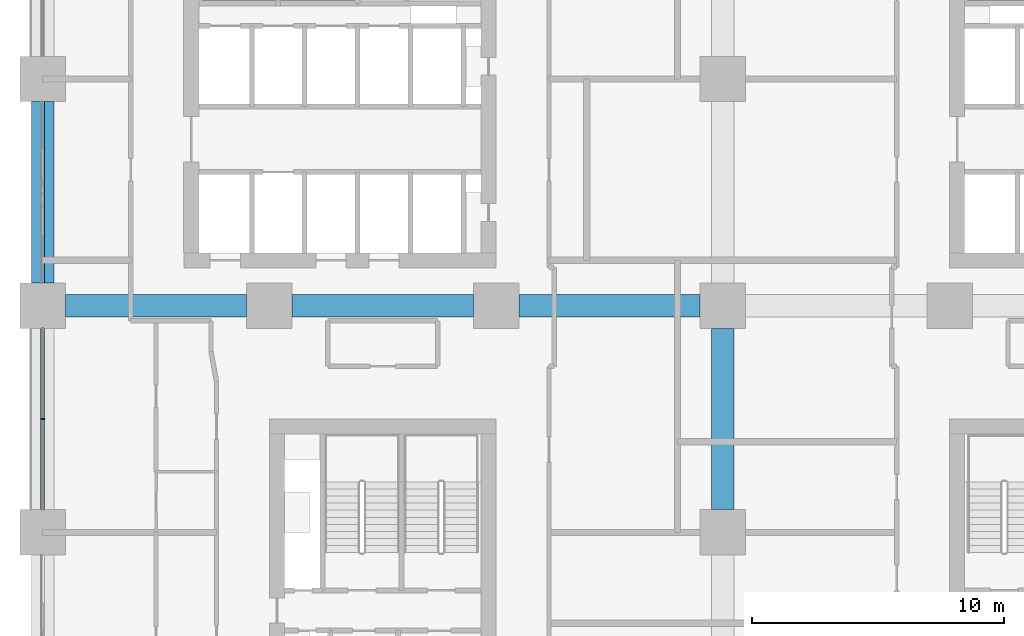
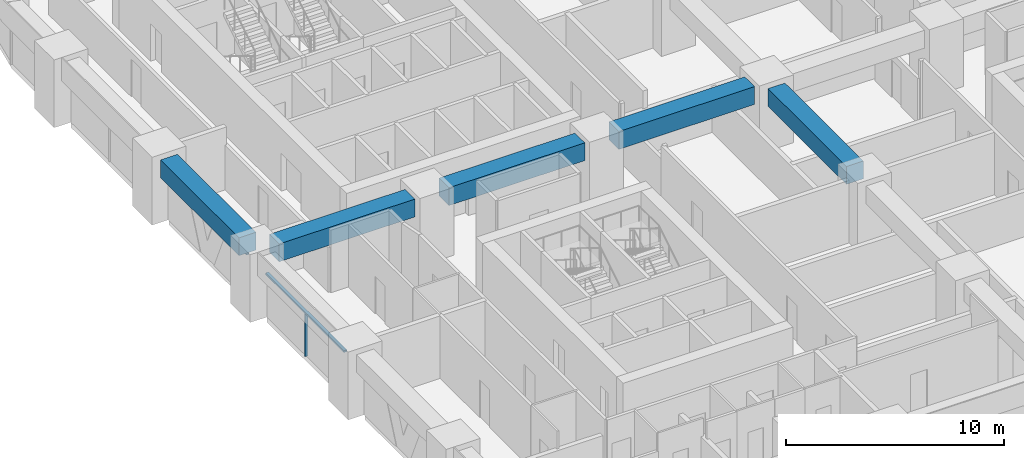
# One storey, part 4 of 21: 5 beams, 3 members, 2 elements without a shape of their own.
"""IFC4 building model written with IfcOpenShell, lengths in metres."""

import ifcopenshell
import ifcopenshell.guid

model = None  # the IFC model being written
_history = None  # IfcOwnerHistory: only IFC2X3 demands one
_inside = {}  # id of a spatial element -> (the spatial element, [elements in it])
_under = {}  # id of a project, library or spatial element -> (it, [spatial elements below it])
_declared = {}  # id of a project -> (the project, [libraries it declares])
_typed = {}  # id of a type object -> (the type object, [elements of that type])
_made_of = {}  # id of a material, layer set ... -> (it, [elements and type objects made of it])


def new_model(schema):
    """Start an empty IFC model of exactly this schema.

    Asked for "IFC4X3", IfcOpenShell would pick the latest addendum, in which some entities
    have other attributes; the version numbers below select the first issue.
    IFC2X3 requires an IfcOwnerHistory on every rooted entity: one is made here for all.
    """
    global model, _history
    if schema == "IFC4X3":
        model = ifcopenshell.file(schema_version=(4, 3, 0, 0))
    else:
        model = ifcopenshell.file(schema=schema)
    _inside.clear()
    _under.clear()
    _declared.clear()
    _typed.clear()
    _made_of.clear()
    _history = None
    if model.schema == "IFC2X3":
        org = make("IfcOrganization", Name="unknown")
        user = make(
            "IfcPersonAndOrganization",
            ThePerson=make("IfcPerson", FamilyName="unknown"),
            TheOrganization=org,
        )
        app = make(
            "IfcApplication",
            ApplicationDeveloper=org,
            Version="unknown",
            ApplicationFullName="unknown",
            ApplicationIdentifier="unknown",
        )
        _history = make(
            "IfcOwnerHistory",
            OwningUser=user,
            OwningApplication=app,
            ChangeAction="ADDED",
            CreationDate=0,
        )
    return model


def make(cls, **values):
    """One entity of the class cls with the attributes given. An attribute that is None is left unset."""
    return model.create_entity(
        cls, **{name: value for name, value in values.items() if value is not None}
    )


def rooted(cls, **values):
    """An entity with a GlobalId (a new one), such as an element, a storey or a relation."""
    return make(cls, GlobalId=ifcopenshell.guid.new(), OwnerHistory=_history, **values)


def si_unit(unit_type, name, prefix=None):
    """IfcSIUnit, for example si_unit("LENGTHUNIT", "METRE", prefix="MILLI")."""
    return make("IfcSIUnit", UnitType=unit_type, Prefix=prefix, Name=name)


def assignment(units):
    """IfcUnitAssignment: the units of a project."""
    return None if units is None else make("IfcUnitAssignment", Units=units)


def point(xyz):
    """IfcCartesianPoint."""
    return None if xyz is None else make("IfcCartesianPoint", Coordinates=xyz)


def direction(xyz):
    """IfcDirection."""
    return None if xyz is None else make("IfcDirection", DirectionRatios=xyz)


def frame(location, z_axis=None, x_axis=None):
    """IfcAxis2Placement3D, a coordinate frame: its origin and axes. An axis left out is left unset."""
    return make(
        "IfcAxis2Placement3D",
        Location=point(location),
        Axis=direction(z_axis),
        RefDirection=direction(x_axis),
    )


def frame_2d(location, x_axis=None):
    """IfcAxis2Placement2D, a coordinate frame in the plane: its origin and x axis."""
    return make(
        "IfcAxis2Placement2D", Location=point(location), RefDirection=direction(x_axis)
    )


def origin():
    """The frame at (0, 0, 0) with its axes left unset."""
    return frame((0.0, 0.0, 0.0))


def origin_2d():
    """The frame at (0, 0) in the plane with its x axis left unset."""
    return frame_2d((0.0, 0.0))


def place(relative_to, where):
    """IfcLocalPlacement: puts the frame where relative to a parent placement (None: the world)."""
    return make(
        "IfcLocalPlacement", PlacementRelTo=relative_to, RelativePlacement=where
    )


def context(
    kind, dimensions, precision=None, world=None, true_north=None, identifier=None
):
    """IfcGeometricRepresentationContext, for example the 3D "Model" context."""
    return make(
        "IfcGeometricRepresentationContext",
        ContextIdentifier=identifier,
        ContextType=kind,
        CoordinateSpaceDimension=dimensions,
        Precision=precision,
        WorldCoordinateSystem=world,
        TrueNorth=true_north,
    )


def subcontext(parent, identifier, kind, view, scale=None):
    """IfcGeometricRepresentationSubContext, for example "Body" below "Model"."""
    return make(
        "IfcGeometricRepresentationSubContext",
        ContextIdentifier=identifier,
        ContextType=kind,
        ParentContext=parent,
        TargetScale=scale,
        TargetView=view,
    )


def project(units=None, contexts=None):
    """IfcProject with its units and contexts."""
    return rooted(
        "IfcProject",
        Name="project",
        RepresentationContexts=contexts,
        UnitsInContext=assignment(units),
    )


def spatial(cls, under=None, at=None, **own):
    """A site, building, storey or space (cls), placed at a placement, below another one or the project."""
    s = rooted(cls, ObjectPlacement=at, **own)
    if under is not None:
        _under.setdefault(under.id(), (under, []))[1].append(s)
    return s


def profile(cls, at=None, kind="AREA", **sizes):
    """A parametric profile (cls). Its sizes go by their IFC names, for example OverallWidth=200.0."""
    return make(cls, ProfileType=kind, Position=at, **sizes)


def rectangle(**sizes):
    """IfcRectangleProfileDef."""
    return profile("IfcRectangleProfileDef", **sizes)


def extrude(swept, where, along, depth):
    """IfcExtrudedAreaSolid: the profile swept, set in the frame where, extruded along a direction by depth."""
    return make(
        "IfcExtrudedAreaSolid",
        SweptArea=swept,
        Position=where,
        ExtrudedDirection=direction(along),
        Depth=depth,
    )


def shape(context_of_items, identifier, shape_type, items):
    """IfcShapeRepresentation: the items that make up one representation, for example the "Body"."""
    return make(
        "IfcShapeRepresentation",
        ContextOfItems=context_of_items,
        RepresentationIdentifier=identifier,
        RepresentationType=shape_type,
        Items=items,
    )


def material(Name=None, Category=None):
    """IfcMaterial."""
    return make("IfcMaterial", Name=Name, Category=Category)


def material_profile(
    of_material, cross_section, Name=None, Category=None, Priority=None
):
    """IfcMaterialProfile: a cross section and its material."""
    return make(
        "IfcMaterialProfile",
        Name=Name,
        Material=of_material,
        Profile=cross_section,
        Priority=Priority,
        Category=Category,
    )


def profile_set(profiles, Name=None, composite=None):
    """IfcMaterialProfileSet."""
    return make(
        "IfcMaterialProfileSet",
        Name=Name,
        MaterialProfiles=profiles,
        CompositeProfile=composite,
    )


def made_of(thing, what):
    """Note that an element or type object is made of a material, layer set ...; save() writes the relation."""
    if what is not None:
        _made_of.setdefault(what.id(), (what, []))[1].append(thing)
    return thing


def type_object(cls, material=None, **own):
    """A type object (cls), such as IfcWallType, which elements share."""
    return made_of(rooted(cls, **own), material)


def element(
    cls,
    number,
    at=None,
    inside=None,
    cuts=None,
    type_object=None,
    material=None,
    context=None,
    identifier="Body",
    shape_type=None,
    held_by="IfcProductDefinitionShape",
    body=None,
    shapes=None,
    **own,
):
    """One element of the class cls, such as IfcWall. Its Tag is "e" and its number.

    at: its placement. inside: the storey or other place that contains it. cuts: it is an
    opening in that element (IfcRelVoidsElement). A single representation is given by context,
    identifier, shape_type and body (its items); several are given by shapes. held_by: the class
    of the entity that holds the representations. save() writes the other relations.
    """
    e = rooted(cls, Tag="e%d" % number, ObjectPlacement=at, **own)
    if body is not None:
        shapes = [shape(context, identifier, shape_type, body)]
    if shapes is not None:
        e.Representation = make(held_by, Representations=shapes)
    if inside is not None:
        _inside.setdefault(inside.id(), (inside, []))[1].append(e)
    if cuts is not None:
        rooted(
            "IfcRelVoidsElement", RelatingBuildingElement=cuts, RelatedOpeningElement=e
        )
    if type_object is not None:
        _typed.setdefault(type_object.id(), (type_object, []))[1].append(e)
    return made_of(e, material)


def aggregate(whole, parts):
    """IfcRelAggregates: a whole, such as a stair, and the parts it consists of."""
    return rooted("IfcRelAggregates", RelatingObject=whole, RelatedObjects=parts)


def save(model, path):
    """Write the relations noted so far, then the file.

    IfcRelAggregates (storeys below a building ...), IfcRelContainedInSpatialStructure (elements
    in a storey), IfcRelDefinesByType, IfcRelAssociatesMaterial and IfcRelDeclares: one each for
    every whole, place, type object, material and project.
    """
    for whole, parts in _under.values():
        aggregate(whole, parts)
    for where, things in _inside.values():
        rooted(
            "IfcRelContainedInSpatialStructure",
            RelatedElements=things,
            RelatingStructure=where,
        )
    for kind, things in _typed.values():
        rooted("IfcRelDefinesByType", RelatedObjects=things, RelatingType=kind)
    for what, things in _made_of.values():
        rooted("IfcRelAssociatesMaterial", RelatedObjects=things, RelatingMaterial=what)
    for by, libraries in _declared.values():
        rooted("IfcRelDeclares", RelatingContext=by, RelatedDefinitions=libraries)
    model.write(path)


model = new_model("IFC4")

# Units and contexts
model_context = context("Model", 3, precision=1e-05, world=origin(), true_north=direction((0.0, 1.0)))
body_context = subcontext(model_context, "Body", "Model", "MODEL_VIEW")
ifc_project = project(units=[si_unit("LENGTHUNIT", "METRE"), si_unit("AREAUNIT", "SQUARE_METRE"), si_unit("VOLUMEUNIT", "CUBIC_METRE"), si_unit("PLANEANGLEUNIT", "RADIAN"), si_unit("MASSUNIT", "GRAM", prefix="KILO")], contexts=[model_context])

# Site, building, storey
site_placement = place(None, origin())
site = spatial("IfcSite", under=ifc_project, at=site_placement, CompositionType="ELEMENT")
building_placement = place(site_placement, origin())
building = spatial("IfcBuilding", under=site, at=building_placement, Name="Tessera Arch", CompositionType="ELEMENT")
storey_placement = place(building_placement, frame((0.0, 0.0, 69.0)))
storey = spatial("IfcBuildingStorey", under=building, at=storey_placement, Name="L15", CompositionType="ELEMENT", Elevation=69.0)

# Curtain wall, members
ifc_material_1 = material(Name="CW1 curtain wall")
curtain_wall_type_1 = type_object("IfcCurtainWallType", Name="CW1 curtain wall", PredefinedType="NOTDEFINED", material=ifc_material_1)
curtain_wall_1_placement = place(storey_placement, origin())
curtain_wall_1 = element("IfcCurtainWall", 1, at=curtain_wall_1_placement, inside=storey, type_object=curtain_wall_type_1, Name="CW1 curtain wall W0.0/3 L15", PredefinedType="NOTDEFINED")
ifc_material_2 = material(Name="Anodised aluminium pale metal", Category="aluminium")
ifc_material_profile_1 = material_profile(ifc_material_2, rectangle(XDim=0.159912109375, YDim=0.06005859375, at=origin_2d()), Name="AL 60x160")
ifc_profile_set_1 = profile_set([ifc_material_profile_1], Name="Anodised aluminium pale metal")
member_type_1 = type_object("IfcMemberType", Name="CW1 mullion", PredefinedType="MULLION", material=ifc_profile_set_1)
member_1_placement = place(storey_placement, frame((0.0, 22.5, 0.0), z_axis=(0.0, 0.0, 1.0), x_axis=(1.0, 0.0, 0.0)))
member_1 = element("IfcMember", 2, at=member_1_placement, type_object=member_type_1, Name="CW1 mullion W0.0/3 1", PredefinedType="MULLION", context=body_context, shape_type="SweptSolid", body=[
    extrude(rectangle(XDim=0.159912109375, YDim=0.06005859375, at=origin_2d()), origin(), (0.0, 0.0, 1.0), 2.39990234375),
])
ifc_material_3 = material(Name="Anodised aluminium pale metal", Category="aluminium")
ifc_material_profile_2 = material_profile(ifc_material_3, rectangle(XDim=0.159912109375, YDim=0.10009765625, at=origin_2d()), Name="AL 160x100")
ifc_profile_set_2 = profile_set([ifc_material_profile_2], Name="Anodised aluminium pale metal")
member_type_2 = type_object("IfcMemberType", Name="CW1 transom", PredefinedType="USERDEFINED", material=ifc_profile_set_2)
member_2_placement = place(storey_placement, frame((0.0, 26.10009765625, 2.449951171875), z_axis=(0.0, -1.0, 0.0), x_axis=(1.0, 0.0, 0.0)))
member_2 = element("IfcMember", 3, at=member_2_placement, type_object=member_type_2, Name="CW1 transom W0.0/3 1.1", ObjectType="TRANSOM", PredefinedType="USERDEFINED", context=body_context, shape_type="SweptSolid", body=[
    extrude(rectangle(XDim=0.159912109375, YDim=0.10009765625, at=origin_2d()), origin(), (0.0, 0.0, 1.0), 7.2001953125),
])
aggregate(curtain_wall_1, [member_1, member_2])

# Curtain wall, member
ifc_material_4 = material(Name="CW3 curtain wall")
curtain_wall_type_2 = type_object("IfcCurtainWallType", Name="CW3 curtain wall", PredefinedType="NOTDEFINED", material=ifc_material_4)
curtain_wall_2_placement = place(storey_placement, origin())
curtain_wall_2 = element("IfcCurtainWall", 4, at=curtain_wall_2_placement, inside=storey, type_object=curtain_wall_type_2, Name="CW3 curtain wall W0.0/2 L15", PredefinedType="NOTDEFINED")
ifc_material_5 = material(Name="Anodised aluminium pale metal", Category="aluminium")
ifc_material_profile_3 = material_profile(ifc_material_5, rectangle(XDim=0.139892578125, YDim=0.10009765625, at=origin_2d()), Name="AL 140x100")
ifc_profile_set_3 = profile_set([ifc_material_profile_3], Name="Anodised aluminium pale metal")
member_type_3 = type_object("IfcMemberType", Name="CW3 transom", PredefinedType="USERDEFINED", material=ifc_profile_set_3)
member_3_placement = place(storey_placement, frame((0.0, 35.10009765625, 2.449951171875), z_axis=(0.0, -1.0, 0.0), x_axis=(1.0, 0.0, 0.0)))
member_3 = element("IfcMember", 5, at=member_3_placement, type_object=member_type_3, Name="CW3 transom W0.0/2 1.1", ObjectType="TRANSOM", PredefinedType="USERDEFINED", context=body_context, shape_type="SweptSolid", body=[
    extrude(rectangle(XDim=0.139892578125, YDim=0.10009765625, at=origin_2d()), origin(), (0.0, 0.0, 1.0), 7.2001953125),
])
aggregate(curtain_wall_2, [member_3])

# Beams
ifc_material_6 = material(Name="Concrete C80/95", Category="concrete")
ifc_material_profile_4 = material_profile(ifc_material_6, rectangle(XDim=0.89990234375, YDim=1.0, at=origin_2d()), Name="RC spandrel beam 900 x 1000 Concrete C80/95")
ifc_profile_set_4 = profile_set([ifc_material_profile_4], Name="Concrete C80/95")
beam_type = type_object("IfcBeamType", Name="RC spandrel beam 900 x 1000 Concrete C80/95", PredefinedType="BEAM", material=ifc_profile_set_4)
for number, where, z_axis, x_axis, name in (
    (6, (0.0, 35.10009765625, 3.0), (0.0, -1.0, 0.0), (1.0, 0.0, 0.0), "Spandrel beam L15 W0.0/2"),
    (7, (27.0, 18.89990234375, 3.0), (0.0, 1.0, 0.0), (-1.0, 0.0, 0.0), "Interface beam L15 I0C4C-C4D"),
    (8, (0.89990234375, 27.0, 3.0), (1.0, 0.0, 0.0), (0.0, 1.0, 0.0), "Interface beam L15 I1C1D-C2D"),
    (9, (9.89990234375, 27.0, 3.0), (1.0, 0.0, 0.0), (0.0, 1.0, 0.0), "Interface beam L15 I1C2D-C3D"),
    (10, (18.89990234375, 27.0, 3.0), (1.0, 0.0, 0.0), (0.0, 1.0, 0.0), "Interface beam L15 I1C3D-C4D"),
):
    element("IfcBeam", number, at=place(storey_placement, frame(where, z_axis=z_axis, x_axis=x_axis)), inside=storey, type_object=beam_type, Name=name, PredefinedType="BEAM", context=body_context, shape_type="SweptSolid", body=[
        extrude(rectangle(XDim=0.89990234375, YDim=1.0, at=origin_2d()), origin(), (0.0, 0.0, 1.0), 7.2001953125),
    ])

save(model, "model.ifc")
